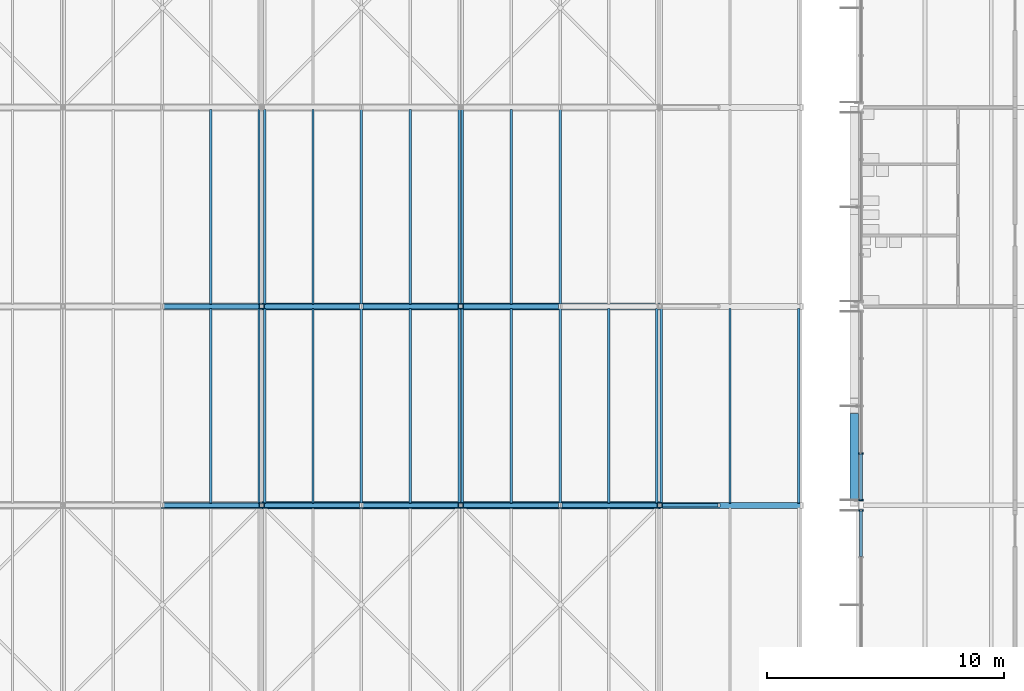
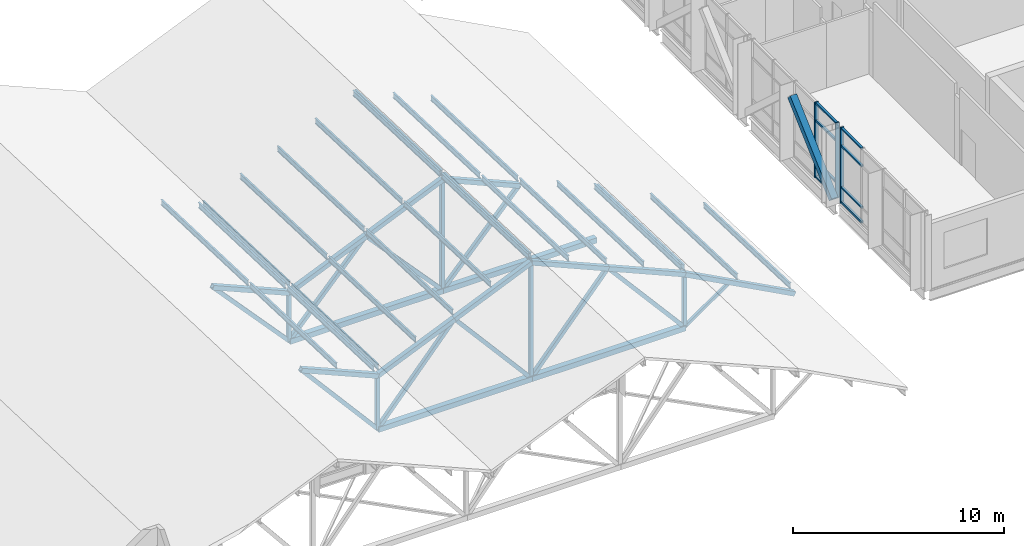
# One storey, part 15 of 76: 39 beams, 27 members, 2 elements without a shape of their own.
"""IFC4 building model written with IfcOpenShell, lengths in metres."""

from ifc_helpers import new_model, si_unit, direction, frame, origin, origin_2d, place, context, subcontext, project, spatial, rectangle, hollow_rectangle, i_section, extrude, material, material_profile, profile_set, type_object, element, aggregate, save


model = new_model("IFC4")

# Units and contexts
model_context = context("Model", 3, precision=1e-05, world=origin(), true_north=direction((0.0, 1.0)))
body_context = subcontext(model_context, "Body", "Model", "MODEL_VIEW")
ifc_project = project(units=[si_unit("LENGTHUNIT", "METRE"), si_unit("AREAUNIT", "SQUARE_METRE"), si_unit("VOLUMEUNIT", "CUBIC_METRE"), si_unit("PLANEANGLEUNIT", "RADIAN"), si_unit("MASSUNIT", "GRAM", prefix="KILO")], contexts=[model_context])

# Site, building, storey
site_placement = place(None, origin())
site = spatial("IfcSite", under=ifc_project, at=site_placement, CompositionType="ELEMENT")
building_placement = place(site_placement, origin())
building = spatial("IfcBuilding", under=site, at=building_placement, Name="Hlaing Beacon Police Headquarters", CompositionType="ELEMENT")
storey_placement = place(building_placement, frame((0.0, 0.0, 18.89990234375)))
storey = spatial("IfcBuildingStorey", under=building, at=storey_placement, Name="L04", CompositionType="ELEMENT", Elevation=18.89990234375)

# Members
ifc_material_1 = material(Name="Steel ASTM A500 Grade C", Category="steel")
ifc_material_profile_1 = material_profile(ifc_material_1, hollow_rectangle(XDim=0.355712890625, YDim=0.355712890625, WallThickness=0.015869140625, at=origin_2d()), Name="HSS14x14x5/8")
ifc_profile_set_1 = profile_set([ifc_material_profile_1], Name="Steel ASTM A500 Grade C")
member_type_1 = type_object("IfcMemberType", Name="Chevron brace HSS14x14x5/8", PredefinedType="BRACE", material=ifc_profile_set_1)
member_1_placement = place(storey_placement, frame((100.6181640625, 42.072998046875, 0.131103515625), z_axis=(0.0, 0.738446730342, 0.674311816927), x_axis=(-1.0, 0.0, 0.0)))
element("IfcMember", 1, at=member_1_placement, inside=storey, type_object=member_type_1, Name="STR-BR-L04-N6a", PredefinedType="BRACE", context=body_context, shape_type="SweptSolid", body=[
    extrude(hollow_rectangle(XDim=0.355712890625, YDim=0.355712890625, WallThickness=0.015869140625, at=origin_2d()), origin(), (0.0, 0.0, 1.0), 5.31787109375),
])
ifc_material_2 = material(Name="Steel ASTM A500 Grade C", Category="steel")
ifc_material_profile_2 = material_profile(ifc_material_2, hollow_rectangle(XDim=0.15234375, YDim=0.15234375, WallThickness=0.0126953125, at=origin_2d()), Name="HSS6x6x1/2")
ifc_profile_set_2 = profile_set([ifc_material_profile_2], Name="Steel ASTM A500 Grade C")
member_type_2 = type_object("IfcMemberType", Name="Eave strut HSS6x6x1/2", PredefinedType="BRACE", material=ifc_profile_set_2)
member_2_placement = place(storey_placement, frame((92.39990234375, 42.0, -4.347412109375), z_axis=(0.820772849728, 0.0, 0.571254697267), x_axis=(0.0, 1.0, 0.0)))
element("IfcMember", 2, at=member_2_placement, inside=storey, type_object=member_type_2, Name="STR-RT-V1-T2-ST02", PredefinedType="BRACE", context=body_context, shape_type="SweptSolid", body=[
    extrude(hollow_rectangle(XDim=0.15234375, YDim=0.15234375, WallThickness=0.0126953125, at=origin_2d()), origin(), (0.0, 0.0, 1.0), 3.0458984375),
])

# Curtain wall, members
ifc_material_3 = material(Name="Aluminium frame with solar control glazing", Category="aluminium")
curtain_wall_type_1 = type_object("IfcCurtainWallType", Name="Unitised curtain wall 8.02 x 4.37", PredefinedType="NOTDEFINED", material=ifc_material_3)
curtain_wall_1_placement = place(storey_placement, origin())
curtain_wall_1 = element("IfcCurtainWall", 3, at=curtain_wall_1_placement, inside=storey, type_object=curtain_wall_type_1, Name="ENV-CW-L04-W021", PredefinedType="NOTDEFINED")
ifc_material_4 = material(Name="Aluminium", Category="aluminium")
ifc_material_profile_3 = material_profile(ifc_material_4, rectangle(XDim=0.199951171875, YDim=0.06005859375, at=origin_2d()), Name="Mullion 60x200")
ifc_profile_set_3 = profile_set([ifc_material_profile_3], Name="Aluminium")
member_type_3 = type_object("IfcMemberType", Name="Mullion 60x200", PredefinedType="MULLION", material=ifc_profile_set_3)
member_3_placement = place(storey_placement, frame((100.89990234375, 44.194091796875, 0.0), z_axis=(0.0, 0.0, 1.0), x_axis=(1.0, 0.0, 0.0)))
member_3 = element("IfcMember", 4, at=member_3_placement, type_object=member_type_3, Name="CW-L04-W021 mullion 4", PredefinedType="MULLION", context=body_context, shape_type="SweptSolid", body=[
    extrude(rectangle(XDim=0.199951171875, YDim=0.06005859375, at=origin_2d()), origin(), (0.0, 0.0, 1.0), 4.3701171875),
])
member_4_placement = place(storey_placement, frame((100.89990234375, 42.218017578125, 0.0), z_axis=(0.0, 0.0, 1.0), x_axis=(1.0, 0.0, 0.0)))
member_4 = element("IfcMember", 5, at=member_4_placement, type_object=member_type_3, Name="CW-L04-W021 mullion 5", PredefinedType="MULLION", context=body_context, shape_type="SweptSolid", body=[
    extrude(rectangle(XDim=0.199951171875, YDim=0.06005859375, at=origin_2d()), origin(), (0.0, 0.0, 1.0), 4.3701171875),
])

# Curtain wall, member
ifc_material_5 = material(Name="Aluminium frame with solar control glazing", Category="aluminium")
curtain_wall_type_2 = type_object("IfcCurtainWallType", Name="Unitised curtain wall 8.03 x 4.37", PredefinedType="NOTDEFINED", material=ifc_material_5)
curtain_wall_2_placement = place(storey_placement, origin())
curtain_wall_2 = element("IfcCurtainWall", 6, at=curtain_wall_2_placement, inside=storey, type_object=curtain_wall_type_2, Name="ENV-CW-L04-W022", PredefinedType="NOTDEFINED")
member_5_placement = place(storey_placement, frame((100.89990234375, 41.781982421875, 0.0), z_axis=(0.0, 0.0, 1.0), x_axis=(1.0, 0.0, 0.0)))
member_5 = element("IfcMember", 7, at=member_5_placement, type_object=member_type_3, Name="CW-L04-W022 mullion 1", PredefinedType="MULLION", context=body_context, shape_type="SweptSolid", body=[
    extrude(rectangle(XDim=0.199951171875, YDim=0.06005859375, at=origin_2d()), origin(), (0.0, 0.0, 1.0), 4.3701171875),
])

# Beams
ifc_material_6 = material(Name="Steel ASTM A992 Grade 50", Category="steel")
ifc_material_profile_4 = material_profile(ifc_material_6, i_section(OverallWidth=0.102294921875, OverallDepth=0.3125, WebThickness=0.006591796875, FlangeThickness=0.0107421875, FilletRadius=0.007568359375, at=origin_2d()), Name="W12x22")
ifc_profile_set_4 = profile_set([ifc_material_profile_4], Name="Steel ASTM A992 Grade 50")
beam_type_1 = type_object("IfcBeamType", Name="Roof purlin W12x22", PredefinedType="BEAM", material=ifc_profile_set_4)
beam_1_placement = place(storey_placement, frame((73.43994140625, 42.090576171875, -0.01904296875), z_axis=(0.0, 0.999362097782, -0.035712708045), x_axis=(-1.0, 0.0, 0.0)))
element("IfcBeam", 8, at=beam_1_placement, inside=storey, type_object=beam_type_1, Name="STR-RT-V1-PR-R3-04-2", PredefinedType="BEAM", context=body_context, shape_type="SweptSolid", body=[
    extrude(i_section(OverallWidth=0.102294921875, OverallDepth=0.3125, WebThickness=0.006591796875, FlangeThickness=0.0107421875, FilletRadius=0.007568359375, at=origin_2d()), origin(), (0.0, 0.0, 1.0), 8.223876953125),
])
beam_2_placement = place(storey_placement, frame((73.43994140625, 50.490478515625, -0.319091796875), z_axis=(0.0, 0.999362135643, -0.035711648572), x_axis=(-1.0, 0.0, 0.0)))
element("IfcBeam", 9, at=beam_2_placement, inside=storey, type_object=beam_type_1, Name="STR-RT-V1-PR-R3-04-3", PredefinedType="BEAM", context=body_context, shape_type="SweptSolid", body=[
    extrude(i_section(OverallWidth=0.102294921875, OverallDepth=0.3125, WebThickness=0.006591796875, FlangeThickness=0.0107421875, FilletRadius=0.007568359375, at=origin_2d()), origin(), (0.0, 0.0, 1.0), 8.22412109375),
])
beam_3_placement = place(storey_placement, frame((75.479736328125, 42.090576171875, -0.893310546875), z_axis=(0.0, 0.999362097782, -0.035712708045), x_axis=(-1.0, 0.0, 0.0)))
element("IfcBeam", 10, at=beam_3_placement, inside=storey, type_object=beam_type_1, Name="STR-RT-V1-PR-R3-05-2", PredefinedType="BEAM", context=body_context, shape_type="SweptSolid", body=[
    extrude(i_section(OverallWidth=0.102294921875, OverallDepth=0.3125, WebThickness=0.006591796875, FlangeThickness=0.0107421875, FilletRadius=0.007568359375, at=origin_2d()), origin(), (0.0, 0.0, 1.0), 8.223876953125),
])
beam_4_placement = place(storey_placement, frame((75.479736328125, 50.490478515625, -1.193359375), z_axis=(0.0, 0.999362135643, -0.035711648572), x_axis=(-1.0, 0.0, 0.0)))
element("IfcBeam", 11, at=beam_4_placement, inside=storey, type_object=beam_type_1, Name="STR-RT-V1-PR-R3-05-3", PredefinedType="BEAM", context=body_context, shape_type="SweptSolid", body=[
    extrude(i_section(OverallWidth=0.102294921875, OverallDepth=0.3125, WebThickness=0.006591796875, FlangeThickness=0.0107421875, FilletRadius=0.007568359375, at=origin_2d()), origin(), (0.0, 0.0, 1.0), 8.22412109375),
])
beam_5_placement = place(storey_placement, frame((75.72021484375, 42.090576171875, -0.893310546875), z_axis=(0.0, 0.999362097782, -0.035712708045), x_axis=(-1.0, 0.0, 0.0)))
element("IfcBeam", 12, at=beam_5_placement, inside=storey, type_object=beam_type_1, Name="STR-RT-V1-PR-R4-01-2", PredefinedType="BEAM", context=body_context, shape_type="SweptSolid", body=[
    extrude(i_section(OverallWidth=0.102294921875, OverallDepth=0.3125, WebThickness=0.006591796875, FlangeThickness=0.0107421875, FilletRadius=0.007568359375, at=origin_2d()), origin(), (0.0, 0.0, 1.0), 8.223876953125),
])
beam_6_placement = place(storey_placement, frame((75.72021484375, 50.490478515625, -1.193359375), z_axis=(0.0, 0.999362135643, -0.035711648572), x_axis=(-1.0, 0.0, 0.0)))
element("IfcBeam", 13, at=beam_6_placement, inside=storey, type_object=beam_type_1, Name="STR-RT-V1-PR-R4-01-3", PredefinedType="BEAM", context=body_context, shape_type="SweptSolid", body=[
    extrude(i_section(OverallWidth=0.102294921875, OverallDepth=0.3125, WebThickness=0.006591796875, FlangeThickness=0.0107421875, FilletRadius=0.007568359375, at=origin_2d()), origin(), (0.0, 0.0, 1.0), 8.22412109375),
])
beam_7_placement = place(storey_placement, frame((77.760009765625, 42.090576171875, -0.01904296875), z_axis=(0.0, 0.999362097782, -0.035712708045), x_axis=(-1.0, 0.0, 0.0)))
element("IfcBeam", 14, at=beam_7_placement, inside=storey, type_object=beam_type_1, Name="STR-RT-V1-PR-R4-02-2", PredefinedType="BEAM", context=body_context, shape_type="SweptSolid", body=[
    extrude(i_section(OverallWidth=0.102294921875, OverallDepth=0.3125, WebThickness=0.006591796875, FlangeThickness=0.0107421875, FilletRadius=0.007568359375, at=origin_2d()), origin(), (0.0, 0.0, 1.0), 8.223876953125),
])
beam_8_placement = place(storey_placement, frame((77.760009765625, 50.490478515625, -0.319091796875), z_axis=(0.0, 0.999362135643, -0.035711648572), x_axis=(-1.0, 0.0, 0.0)))
element("IfcBeam", 15, at=beam_8_placement, inside=storey, type_object=beam_type_1, Name="STR-RT-V1-PR-R4-02-3", PredefinedType="BEAM", context=body_context, shape_type="SweptSolid", body=[
    extrude(i_section(OverallWidth=0.102294921875, OverallDepth=0.3125, WebThickness=0.006591796875, FlangeThickness=0.0107421875, FilletRadius=0.007568359375, at=origin_2d()), origin(), (0.0, 0.0, 1.0), 8.22412109375),
])
beam_9_placement = place(storey_placement, frame((79.800048828125, 42.090576171875, 0.855224609375), z_axis=(0.0, 0.999362097782, -0.035712708045), x_axis=(-1.0, 0.0, 0.0)))
element("IfcBeam", 16, at=beam_9_placement, inside=storey, type_object=beam_type_1, Name="STR-RT-V1-PR-R4-03-2", PredefinedType="BEAM", context=body_context, shape_type="SweptSolid", body=[
    extrude(i_section(OverallWidth=0.102294921875, OverallDepth=0.3125, WebThickness=0.006591796875, FlangeThickness=0.0107421875, FilletRadius=0.007568359375, at=origin_2d()), origin(), (0.0, 0.0, 1.0), 8.223876953125),
])
beam_10_placement = place(storey_placement, frame((79.800048828125, 50.490478515625, 0.554931640625), z_axis=(0.0, 0.999363194646, -0.03568200089), x_axis=(-1.0, 0.0, 0.0)))
element("IfcBeam", 17, at=beam_10_placement, inside=storey, type_object=beam_type_1, Name="STR-RT-V1-PR-R4-03-3", PredefinedType="BEAM", context=body_context, shape_type="SweptSolid", body=[
    extrude(i_section(OverallWidth=0.102294921875, OverallDepth=0.3125, WebThickness=0.006591796875, FlangeThickness=0.0107421875, FilletRadius=0.007568359375, at=origin_2d()), origin(), (0.0, 0.0, 1.0), 8.22412109375),
])
beam_11_placement = place(storey_placement, frame((81.869384765625, 42.090576171875, 1.7421875), z_axis=(0.0, 0.999362097782, -0.035712708045), x_axis=(-1.0, 0.0, 0.0)))
element("IfcBeam", 18, at=beam_11_placement, inside=storey, type_object=beam_type_1, Name="STR-RT-V1-PR-R4-04-2", PredefinedType="BEAM", context=body_context, shape_type="SweptSolid", body=[
    extrude(i_section(OverallWidth=0.102294921875, OverallDepth=0.3125, WebThickness=0.006591796875, FlangeThickness=0.0107421875, FilletRadius=0.007568359375, at=origin_2d()), origin(), (0.0, 0.0, 1.0), 8.223876953125),
])
beam_12_placement = place(storey_placement, frame((81.869384765625, 50.490478515625, 1.44189453125), z_axis=(0.0, 0.999362135643, -0.035711648572), x_axis=(-1.0, 0.0, 0.0)))
element("IfcBeam", 19, at=beam_12_placement, inside=storey, type_object=beam_type_1, Name="STR-RT-V1-PR-R4-04-3", PredefinedType="BEAM", context=body_context, shape_type="SweptSolid", body=[
    extrude(i_section(OverallWidth=0.102294921875, OverallDepth=0.3125, WebThickness=0.006591796875, FlangeThickness=0.0107421875, FilletRadius=0.007568359375, at=origin_2d()), origin(), (0.0, 0.0, 1.0), 8.22412109375),
])
beam_13_placement = place(storey_placement, frame((83.938720703125, 42.090576171875, 2.62890625), z_axis=(0.0, 0.999362097782, -0.035712708045), x_axis=(-1.0, 0.0, 0.0)))
element("IfcBeam", 20, at=beam_13_placement, inside=storey, type_object=beam_type_1, Name="STR-RT-V1-PR-R4-05-2", PredefinedType="BEAM", context=body_context, shape_type="SweptSolid", body=[
    extrude(i_section(OverallWidth=0.102294921875, OverallDepth=0.3125, WebThickness=0.006591796875, FlangeThickness=0.0107421875, FilletRadius=0.007568359375, at=origin_2d()), origin(), (0.0, 0.0, 1.0), 8.223876953125),
])
beam_14_placement = place(storey_placement, frame((83.938720703125, 50.490478515625, 2.328857421875), z_axis=(0.0, 0.999362135643, -0.035711648572), x_axis=(-1.0, 0.0, 0.0)))
element("IfcBeam", 21, at=beam_14_placement, inside=storey, type_object=beam_type_1, Name="STR-RT-V1-PR-R4-05-3", PredefinedType="BEAM", context=body_context, shape_type="SweptSolid", body=[
    extrude(i_section(OverallWidth=0.102294921875, OverallDepth=0.3125, WebThickness=0.006591796875, FlangeThickness=0.0107421875, FilletRadius=0.007568359375, at=origin_2d()), origin(), (0.0, 0.0, 1.0), 8.22412109375),
])
beam_15_placement = place(storey_placement, frame((84.061279296875, 42.090576171875, 2.62890625), z_axis=(0.0, 0.999362097782, -0.035712708045), x_axis=(-1.0, 0.0, 0.0)))
element("IfcBeam", 22, at=beam_15_placement, inside=storey, type_object=beam_type_1, Name="STR-RT-V1-PR-R5-01-2", PredefinedType="BEAM", context=body_context, shape_type="SweptSolid", body=[
    extrude(i_section(OverallWidth=0.102294921875, OverallDepth=0.3125, WebThickness=0.006591796875, FlangeThickness=0.0107421875, FilletRadius=0.007568359375, at=origin_2d()), origin(), (0.0, 0.0, 1.0), 8.223876953125),
])
beam_16_placement = place(storey_placement, frame((84.061279296875, 50.490478515625, 2.328857421875), z_axis=(0.0, 0.999362135643, -0.035711648572), x_axis=(-1.0, 0.0, 0.0)))
element("IfcBeam", 23, at=beam_16_placement, inside=storey, type_object=beam_type_1, Name="STR-RT-V1-PR-R5-01-3", PredefinedType="BEAM", context=body_context, shape_type="SweptSolid", body=[
    extrude(i_section(OverallWidth=0.102294921875, OverallDepth=0.3125, WebThickness=0.006591796875, FlangeThickness=0.0107421875, FilletRadius=0.007568359375, at=origin_2d()), origin(), (0.0, 0.0, 1.0), 8.22412109375),
])
beam_17_placement = place(storey_placement, frame((86.130615234375, 42.090576171875, 1.7421875), z_axis=(0.0, 0.999362097782, -0.035712708045), x_axis=(-1.0, 0.0, 0.0)))
element("IfcBeam", 24, at=beam_17_placement, inside=storey, type_object=beam_type_1, Name="STR-RT-V1-PR-R5-02-2", PredefinedType="BEAM", context=body_context, shape_type="SweptSolid", body=[
    extrude(i_section(OverallWidth=0.102294921875, OverallDepth=0.3125, WebThickness=0.006591796875, FlangeThickness=0.0107421875, FilletRadius=0.007568359375, at=origin_2d()), origin(), (0.0, 0.0, 1.0), 8.223876953125),
])
beam_18_placement = place(storey_placement, frame((86.130615234375, 50.490478515625, 1.44189453125), z_axis=(0.0, 0.999362135643, -0.035711648572), x_axis=(-1.0, 0.0, 0.0)))
element("IfcBeam", 25, at=beam_18_placement, inside=storey, type_object=beam_type_1, Name="STR-RT-V1-PR-R5-02-3", PredefinedType="BEAM", context=body_context, shape_type="SweptSolid", body=[
    extrude(i_section(OverallWidth=0.102294921875, OverallDepth=0.3125, WebThickness=0.006591796875, FlangeThickness=0.0107421875, FilletRadius=0.007568359375, at=origin_2d()), origin(), (0.0, 0.0, 1.0), 8.22412109375),
])
beam_19_placement = place(storey_placement, frame((88.199951171875, 42.090576171875, 0.855224609375), z_axis=(0.0, 0.999362097782, -0.035712708045), x_axis=(-1.0, 0.0, 0.0)))
element("IfcBeam", 26, at=beam_19_placement, inside=storey, type_object=beam_type_1, Name="STR-RT-V1-PR-R5-03-2", PredefinedType="BEAM", context=body_context, shape_type="SweptSolid", body=[
    extrude(i_section(OverallWidth=0.102294921875, OverallDepth=0.3125, WebThickness=0.006591796875, FlangeThickness=0.0107421875, FilletRadius=0.007568359375, at=origin_2d()), origin(), (0.0, 0.0, 1.0), 8.223876953125),
])
beam_20_placement = place(storey_placement, frame((88.199951171875, 50.490478515625, 0.554931640625), z_axis=(0.0, 0.999363194646, -0.03568200089), x_axis=(-1.0, 0.0, 0.0)))
element("IfcBeam", 27, at=beam_20_placement, inside=storey, type_object=beam_type_1, Name="STR-RT-V1-PR-R5-03-3", PredefinedType="BEAM", context=body_context, shape_type="SweptSolid", body=[
    extrude(i_section(OverallWidth=0.102294921875, OverallDepth=0.3125, WebThickness=0.006591796875, FlangeThickness=0.0107421875, FilletRadius=0.007568359375, at=origin_2d()), origin(), (0.0, 0.0, 1.0), 8.22412109375),
])
for number, where, z_axis, x_axis, name in (
    (28, (90.239990234375, 42.090576171875, -0.01904296875), (0.0, 0.999362097782, -0.035712708045), (-1.0, 0.0, 0.0), "STR-RT-V1-PR-R5-04-2"),
    (29, (92.27978515625, 42.090576171875, -0.893310546875), (0.0, 0.999362097782, -0.035712708045), (-1.0, 0.0, 0.0), "STR-RT-V1-PR-R5-05-2"),
    (30, (92.461181640625, 42.090576171875, -0.989501953125), (0.0, 0.999362097782, -0.035712708045), (-1.0, 0.0, 0.0), "STR-RT-V1-PR-R6-01-2"),
    (31, (95.36474609375, 42.090576171875, -2.5380859375), (0.0, 0.999362097782, -0.035712708045), (-1.0, 0.0, 0.0), "STR-RT-V1-PR-R6-02-2"),
    (32, (98.268310546875, 42.090576171875, -4.086669921875), (0.0, 0.999362097782, -0.035712708045), (-1.0, 0.0, 0.0), "STR-RT-V1-PR-R6-03-2"),
):
    element("IfcBeam", number, at=place(storey_placement, frame(where, z_axis=z_axis, x_axis=x_axis)), inside=storey, type_object=beam_type_1, Name=name, PredefinedType="BEAM", context=body_context, shape_type="SweptSolid", body=[
        extrude(i_section(OverallWidth=0.102294921875, OverallDepth=0.3125, WebThickness=0.006591796875, FlangeThickness=0.0107421875, FilletRadius=0.007568359375, at=origin_2d()), origin(), (0.0, 0.0, 1.0), 8.223876953125),
    ])

# Member
ifc_material_7 = material(Name="Aluminium", Category="aluminium")
ifc_material_profile_5 = material_profile(ifc_material_7, rectangle(XDim=0.1201171875, YDim=0.10009765625, at=origin_2d()), Name="Transom 120x100")
ifc_profile_set_5 = profile_set([ifc_material_profile_5], Name="Aluminium")
member_type_4 = type_object("IfcMemberType", Name="Transom 120x100", PredefinedType="USERDEFINED", material=ifc_profile_set_5)
member_6_placement = place(storey_placement, frame((100.89990234375, 44.1640625, 0.050048828125), z_axis=(0.0, -1.0, 0.0), x_axis=(1.0, 0.0, 0.0)))
member_6 = element("IfcMember", 33, at=member_6_placement, type_object=member_type_4, Name="CW-L04-W021 transom 4.1", ObjectType="TRANSOM", PredefinedType="USERDEFINED", context=body_context, shape_type="SweptSolid", body=[
    extrude(rectangle(XDim=0.1201171875, YDim=0.10009765625, at=origin_2d()), origin(), (0.0, 0.0, 1.0), 1.916015625),
])

member_7_placement = place(storey_placement, frame((100.89990234375, 44.1640625, 0.900146484375), z_axis=(0.0, -1.0, 0.0), x_axis=(1.0, 0.0, 0.0)))
member_7 = element("IfcMember", 34, at=member_7_placement, type_object=member_type_4, Name="CW-L04-W021 transom 4.2", ObjectType="TRANSOM", PredefinedType="USERDEFINED", context=body_context, shape_type="SweptSolid", body=[
    extrude(rectangle(XDim=0.1201171875, YDim=0.10009765625, at=origin_2d()), origin(), (0.0, 0.0, 1.0), 1.916015625),
])

member_8_placement = place(storey_placement, frame((100.89990234375, 44.1640625, 3.300048828125), z_axis=(0.0, -1.0, 0.0), x_axis=(1.0, 0.0, 0.0)))
member_8 = element("IfcMember", 35, at=member_8_placement, type_object=member_type_4, Name="CW-L04-W021 transom 4.3", ObjectType="TRANSOM", PredefinedType="USERDEFINED", context=body_context, shape_type="SweptSolid", body=[
    extrude(rectangle(XDim=0.1201171875, YDim=0.10009765625, at=origin_2d()), origin(), (0.0, 0.0, 1.0), 1.916015625),
])

member_9_placement = place(storey_placement, frame((100.89990234375, 44.1640625, 4.320068359375), z_axis=(0.0, -1.0, 0.0), x_axis=(1.0, 0.0, 0.0)))
member_9 = element("IfcMember", 36, at=member_9_placement, type_object=member_type_4, Name="CW-L04-W021 transom 4.4", ObjectType="TRANSOM", PredefinedType="USERDEFINED", context=body_context, shape_type="SweptSolid", body=[
    extrude(rectangle(XDim=0.1201171875, YDim=0.10009765625, at=origin_2d()), origin(), (0.0, 0.0, 1.0), 1.916015625),
])

aggregate(curtain_wall_1, [member_3, member_4, member_6, member_7, member_8, member_9])

member_10_placement = place(storey_placement, frame((100.89990234375, 41.751953125, 0.050048828125), z_axis=(0.0, -1.0, 0.0), x_axis=(1.0, 0.0, 0.0)))
member_10 = element("IfcMember", 37, at=member_10_placement, type_object=member_type_4, Name="CW-L04-W022 transom 1.1", ObjectType="TRANSOM", PredefinedType="USERDEFINED", context=body_context, shape_type="SweptSolid", body=[
    extrude(rectangle(XDim=0.1201171875, YDim=0.10009765625, at=origin_2d()), origin(), (0.0, 0.0, 1.0), 1.9169921875),
])

member_11_placement = place(storey_placement, frame((100.89990234375, 41.751953125, 0.900146484375), z_axis=(0.0, -1.0, 0.0), x_axis=(1.0, 0.0, 0.0)))
member_11 = element("IfcMember", 38, at=member_11_placement, type_object=member_type_4, Name="CW-L04-W022 transom 1.2", ObjectType="TRANSOM", PredefinedType="USERDEFINED", context=body_context, shape_type="SweptSolid", body=[
    extrude(rectangle(XDim=0.1201171875, YDim=0.10009765625, at=origin_2d()), origin(), (0.0, 0.0, 1.0), 1.9169921875),
])

member_12_placement = place(storey_placement, frame((100.89990234375, 41.751953125, 3.300048828125), z_axis=(0.0, -1.0, 0.0), x_axis=(1.0, 0.0, 0.0)))
member_12 = element("IfcMember", 39, at=member_12_placement, type_object=member_type_4, Name="CW-L04-W022 transom 1.3", ObjectType="TRANSOM", PredefinedType="USERDEFINED", context=body_context, shape_type="SweptSolid", body=[
    extrude(rectangle(XDim=0.1201171875, YDim=0.10009765625, at=origin_2d()), origin(), (0.0, 0.0, 1.0), 1.9169921875),
])

member_13_placement = place(storey_placement, frame((100.89990234375, 41.751953125, 4.320068359375), z_axis=(0.0, -1.0, 0.0), x_axis=(1.0, 0.0, 0.0)))
member_13 = element("IfcMember", 40, at=member_13_placement, type_object=member_type_4, Name="CW-L04-W022 transom 1.4", ObjectType="TRANSOM", PredefinedType="USERDEFINED", context=body_context, shape_type="SweptSolid", body=[
    extrude(rectangle(XDim=0.1201171875, YDim=0.10009765625, at=origin_2d()), origin(), (0.0, 0.0, 1.0), 1.9169921875),
])

aggregate(curtain_wall_2, [member_5, member_10, member_11, member_12, member_13])

# Beams
ifc_material_8 = material(Name="Steel ASTM A500 Grade C", Category="steel")
ifc_material_profile_6 = material_profile(ifc_material_8, hollow_rectangle(XDim=0.3046875, YDim=0.3046875, WallThickness=0.015869140625, at=origin_2d()), Name="HSS12x12x5/8")
ifc_profile_set_6 = profile_set([ifc_material_profile_6], Name="Steel ASTM A500 Grade C")
beam_type_2 = type_object("IfcBeamType", Name="Truss bottom chord HSS12x12x5/8", PredefinedType="BEAM", material=ifc_profile_set_6)
for number, where, z_axis, x_axis, name in (
    (41, (75.60009765625, 42.0, -4.347412109375), (1.0, 0.0, 0.0), (0.0, 1.0, 0.0), "STR-RT-V1-T2-BC03"),
    (42, (84.0, 42.0, -4.347412109375), (1.0, 0.0, 0.0), (0.0, 1.0, 0.0), "STR-RT-V1-T2-BC04"),
    (43, (75.60009765625, 50.39990234375, -4.347412109375), (1.0, 0.0, 0.0), (0.0, 1.0, 0.0), "STR-RT-V1-T3-BC03"),
    (44, (84.0, 50.39990234375, -4.347412109375), (1.0, 0.0, 0.0), (0.0, 1.0, 0.0), "STR-RT-V1-T3-BC04"),
):
    element("IfcBeam", number, at=place(storey_placement, frame(where, z_axis=z_axis, x_axis=x_axis)), inside=storey, type_object=beam_type_2, Name=name, PredefinedType="BEAM", context=body_context, shape_type="SweptSolid", body=[
        extrude(hollow_rectangle(XDim=0.3046875, YDim=0.3046875, WallThickness=0.015869140625, at=origin_2d()), origin(), (0.0, 0.0, 1.0), 8.39990234375),
    ])

# Members
ifc_material_9 = material(Name="Steel ASTM A500 Grade C", Category="steel")
ifc_material_profile_7 = material_profile(ifc_material_9, hollow_rectangle(XDim=0.203125, YDim=0.203125, WallThickness=0.015869140625, at=origin_2d()), Name="HSS8x8x5/8")
ifc_profile_set_7 = profile_set([ifc_material_profile_7], Name="Steel ASTM A500 Grade C")
member_type_5 = type_object("IfcMemberType", Name="Truss post HSS8x8x5/8", PredefinedType="POST", material=ifc_profile_set_7)
member_14_placement = place(storey_placement, frame((75.60009765625, 42.0, -4.347412109375), z_axis=(0.0, 0.0, 1.0), x_axis=(1.0, 0.0, 0.0)))
element("IfcMember", 45, at=member_14_placement, inside=storey, type_object=member_type_5, Name="STR-RT-V1-T2-PS03", PredefinedType="POST", context=body_context, shape_type="SweptSolid", body=[
    extrude(hollow_rectangle(XDim=0.203125, YDim=0.203125, WallThickness=0.015869140625, at=origin_2d()), origin(), (0.0, 0.0, 1.0), 3.08984375),
])
member_15_placement = place(storey_placement, frame((84.0, 42.0, -4.347412109375), z_axis=(0.0, 0.0, 1.0), x_axis=(1.0, 0.0, 0.0)))
element("IfcMember", 46, at=member_15_placement, inside=storey, type_object=member_type_5, Name="STR-RT-V1-T2-PS04", PredefinedType="POST", context=body_context, shape_type="SweptSolid", body=[
    extrude(hollow_rectangle(XDim=0.203125, YDim=0.203125, WallThickness=0.015869140625, at=origin_2d()), origin(), (0.0, 0.0, 1.0), 6.701904296875),
])
member_16_placement = place(storey_placement, frame((92.39990234375, 42.0, -4.347412109375), z_axis=(0.0, 0.0, 1.0), x_axis=(1.0, 0.0, 0.0)))
element("IfcMember", 47, at=member_16_placement, inside=storey, type_object=member_type_5, Name="STR-RT-V1-T2-PS05", PredefinedType="POST", context=body_context, shape_type="SweptSolid", body=[
    extrude(hollow_rectangle(XDim=0.203125, YDim=0.203125, WallThickness=0.015869140625, at=origin_2d()), origin(), (0.0, 0.0, 1.0), 3.078125),
])
member_17_placement = place(storey_placement, frame((75.60009765625, 50.39990234375, -4.347412109375), z_axis=(0.0, 0.0, 1.0), x_axis=(1.0, 0.0, 0.0)))
element("IfcMember", 48, at=member_17_placement, inside=storey, type_object=member_type_5, Name="STR-RT-V1-T3-PS03", PredefinedType="POST", context=body_context, shape_type="SweptSolid", body=[
    extrude(hollow_rectangle(XDim=0.203125, YDim=0.203125, WallThickness=0.015869140625, at=origin_2d()), origin(), (0.0, 0.0, 1.0), 2.789794921875),
])
member_18_placement = place(storey_placement, frame((84.0, 50.39990234375, -4.347412109375), z_axis=(0.0, 0.0, 1.0), x_axis=(1.0, 0.0, 0.0)))
element("IfcMember", 49, at=member_18_placement, inside=storey, type_object=member_type_5, Name="STR-RT-V1-T3-PS04", PredefinedType="POST", context=body_context, shape_type="SweptSolid", body=[
    extrude(hollow_rectangle(XDim=0.203125, YDim=0.203125, WallThickness=0.015869140625, at=origin_2d()), origin(), (0.0, 0.0, 1.0), 6.40185546875),
])

# Beams
ifc_material_10 = material(Name="Steel ASTM A500 Grade C", Category="steel")
ifc_material_profile_8 = material_profile(ifc_material_10, hollow_rectangle(XDim=0.25390625, YDim=0.25390625, WallThickness=0.015869140625, at=origin_2d()), Name="HSS10x10x5/8")
ifc_profile_set_8 = profile_set([ifc_material_profile_8], Name="Steel ASTM A500 Grade C")
beam_type_3 = type_object("IfcBeamType", Name="Truss top chord HSS10x10x5/8", PredefinedType="BEAM", material=ifc_profile_set_8)
beam_21_placement = place(storey_placement, frame((71.39990234375, 42.0, 0.54248046875), z_axis=(0.91914779343, 0.0, -0.393912850556), x_axis=(0.0, 1.0, 0.0)))
element("IfcBeam", 50, at=beam_21_placement, inside=storey, type_object=beam_type_3, Name="STR-RT-V1-T2-TC05", PredefinedType="BEAM", context=body_context, shape_type="SweptSolid", body=[
    extrude(hollow_rectangle(XDim=0.25390625, YDim=0.25390625, WallThickness=0.015869140625, at=origin_2d()), origin(), (0.0, 0.0, 1.0), 4.569580078125),
])
beam_22_placement = place(storey_placement, frame((75.60009765625, 42.0, -1.257568359375), z_axis=(0.919139502787, 0.0, 0.393932195201), x_axis=(0.0, 1.0, 0.0)))
element("IfcBeam", 51, at=beam_22_placement, inside=storey, type_object=beam_type_3, Name="STR-RT-V1-T2-TC06", PredefinedType="BEAM", context=body_context, shape_type="SweptSolid", body=[
    extrude(hollow_rectangle(XDim=0.25390625, YDim=0.25390625, WallThickness=0.015869140625, at=origin_2d()), origin(), (0.0, 0.0, 1.0), 4.5693359375),
])
for number, where, z_axis, x_axis, name in (
    (52, (79.800048828125, 42.0, 0.54248046875), (0.918189896614, 0.0, 0.396140522739), (0.0, 1.0, 0.0), "STR-RT-V1-T2-TC07"),
    (53, (84.0, 42.0, 2.3544921875), (0.918189896614, 0.0, -0.396140522739), (0.0, 1.0, 0.0), "STR-RT-V1-T2-TC08"),
):
    element("IfcBeam", number, at=place(storey_placement, frame(where, z_axis=z_axis, x_axis=x_axis)), inside=storey, type_object=beam_type_3, Name=name, PredefinedType="BEAM", context=body_context, shape_type="SweptSolid", body=[
        extrude(hollow_rectangle(XDim=0.25390625, YDim=0.25390625, WallThickness=0.015869140625, at=origin_2d()), origin(), (0.0, 0.0, 1.0), 4.57421875),
    ])
beam_23_placement = place(storey_placement, frame((88.199951171875, 42.0, 0.54248046875), z_axis=(0.918209309702, 0.0, -0.396095523298), x_axis=(0.0, 1.0, 0.0)))
element("IfcBeam", 54, at=beam_23_placement, inside=storey, type_object=beam_type_3, Name="STR-RT-V1-T2-TC09", PredefinedType="BEAM", context=body_context, shape_type="SweptSolid", body=[
    extrude(hollow_rectangle(XDim=0.25390625, YDim=0.25390625, WallThickness=0.015869140625, at=origin_2d()), origin(), (0.0, 0.0, 1.0), 4.573974609375),
])
beam_24_placement = place(storey_placement, frame((92.39990234375, 42.0, -1.269287109375), z_axis=(0.881639912586, 0.0, -0.47192273153), x_axis=(0.0, 1.0, 0.0)))
element("IfcBeam", 55, at=beam_24_placement, inside=storey, type_object=beam_type_3, Name="STR-RT-V1-T2-TC10", PredefinedType="BEAM", context=body_context, shape_type="SweptSolid", body=[
    extrude(hollow_rectangle(XDim=0.25390625, YDim=0.25390625, WallThickness=0.015869140625, at=origin_2d()), origin(), (0.0, 0.0, 1.0), 6.805419921875),
])
beam_25_placement = place(storey_placement, frame((71.39990234375, 50.39990234375, 0.242431640625), z_axis=(0.91914779343, 0.0, -0.393912850556), x_axis=(0.0, 1.0, 0.0)))
element("IfcBeam", 56, at=beam_25_placement, inside=storey, type_object=beam_type_3, Name="STR-RT-V1-T3-TC05", PredefinedType="BEAM", context=body_context, shape_type="SweptSolid", body=[
    extrude(hollow_rectangle(XDim=0.25390625, YDim=0.25390625, WallThickness=0.015869140625, at=origin_2d()), origin(), (0.0, 0.0, 1.0), 4.569580078125),
])
beam_26_placement = place(storey_placement, frame((75.60009765625, 50.39990234375, -1.5576171875), z_axis=(0.919139502787, 0.0, 0.393932195201), x_axis=(0.0, 1.0, 0.0)))
element("IfcBeam", 57, at=beam_26_placement, inside=storey, type_object=beam_type_3, Name="STR-RT-V1-T3-TC06", PredefinedType="BEAM", context=body_context, shape_type="SweptSolid", body=[
    extrude(hollow_rectangle(XDim=0.25390625, YDim=0.25390625, WallThickness=0.015869140625, at=origin_2d()), origin(), (0.0, 0.0, 1.0), 4.5693359375),
])
for number, where, z_axis, x_axis, name in (
    (58, (79.800048828125, 50.39990234375, 0.242431640625), (0.918189896614, 0.0, 0.396140522739), (0.0, 1.0, 0.0), "STR-RT-V1-T3-TC07"),
    (59, (84.0, 50.39990234375, 2.054443359375), (0.918189896614, 0.0, -0.396140522739), (0.0, 1.0, 0.0), "STR-RT-V1-T3-TC08"),
):
    element("IfcBeam", number, at=place(storey_placement, frame(where, z_axis=z_axis, x_axis=x_axis)), inside=storey, type_object=beam_type_3, Name=name, PredefinedType="BEAM", context=body_context, shape_type="SweptSolid", body=[
        extrude(hollow_rectangle(XDim=0.25390625, YDim=0.25390625, WallThickness=0.015869140625, at=origin_2d()), origin(), (0.0, 0.0, 1.0), 4.57421875),
    ])

# Members
ifc_material_11 = material(Name="Steel ASTM A500 Grade C", Category="steel")
ifc_material_profile_9 = material_profile(ifc_material_11, hollow_rectangle(XDim=0.203125, YDim=0.203125, WallThickness=0.0126953125, at=origin_2d()), Name="HSS8x8x1/2")
ifc_profile_set_9 = profile_set([ifc_material_profile_9], Name="Steel ASTM A500 Grade C")
member_type_6 = type_object("IfcMemberType", Name="Truss web HSS8x8x1/2", PredefinedType="BRACE", material=ifc_profile_set_9)
for number, where, z_axis, x_axis, name in (
    (60, (71.39990234375, 42.0, 0.54248046875), (0.651583252877, 0.0, -0.75857713159), (0.0, 1.0, 0.0), "STR-RT-V1-T2-DG04"),
    (61, (75.60009765625, 42.0, -4.347412109375), (0.651561457918, 0.0, 0.758595851924), (0.0, 1.0, 0.0), "STR-RT-V1-T2-DG05"),
    (62, (79.800048828125, 42.0, 0.54248046875), (0.651561457918, 0.0, -0.758595851924), (0.0, 1.0, 0.0), "STR-RT-V1-T2-DG06"),
    (63, (84.0, 42.0, -4.347412109375), (0.651561457918, 0.0, 0.758595851924), (0.0, 1.0, 0.0), "STR-RT-V1-T2-DG07"),
    (64, (88.199951171875, 42.0, 0.54248046875), (0.651561457918, 0.0, -0.758595851924), (0.0, 1.0, 0.0), "STR-RT-V1-T2-DG08"),
):
    element("IfcMember", number, at=place(storey_placement, frame(where, z_axis=z_axis, x_axis=x_axis)), inside=storey, type_object=member_type_6, Name=name, PredefinedType="BRACE", context=body_context, shape_type="SweptSolid", body=[
        extrude(hollow_rectangle(XDim=0.203125, YDim=0.203125, WallThickness=0.0126953125, at=origin_2d()), origin(), (0.0, 0.0, 1.0), 6.446044921875),
    ])
member_19_placement = place(storey_placement, frame((71.39990234375, 50.39990234375, 0.242431640625), z_axis=(0.675098901557, 0.0, -0.737727234903), x_axis=(0.0, 1.0, 0.0)))
element("IfcMember", 65, at=member_19_placement, inside=storey, type_object=member_type_6, Name="STR-RT-V1-T3-DG04", PredefinedType="BRACE", context=body_context, shape_type="SweptSolid", body=[
    extrude(hollow_rectangle(XDim=0.203125, YDim=0.203125, WallThickness=0.0126953125, at=origin_2d()), origin(), (0.0, 0.0, 1.0), 6.2216796875),
])
for number, where, z_axis, x_axis, name in (
    (66, (75.60009765625, 50.39990234375, -4.347412109375), (0.675077544232, 0.0, 0.737746778559), (0.0, 1.0, 0.0), "STR-RT-V1-T3-DG05"),
    (67, (79.800048828125, 50.39990234375, 0.242431640625), (0.675077544232, 0.0, -0.737746778559), (0.0, 1.0, 0.0), "STR-RT-V1-T3-DG06"),
    (68, (84.0, 50.39990234375, -4.347412109375), (0.675077544232, 0.0, 0.737746778559), (0.0, 1.0, 0.0), "STR-RT-V1-T3-DG07"),
):
    element("IfcMember", number, at=place(storey_placement, frame(where, z_axis=z_axis, x_axis=x_axis)), inside=storey, type_object=member_type_6, Name=name, PredefinedType="BRACE", context=body_context, shape_type="SweptSolid", body=[
        extrude(hollow_rectangle(XDim=0.203125, YDim=0.203125, WallThickness=0.0126953125, at=origin_2d()), origin(), (0.0, 0.0, 1.0), 6.221435546875),
    ])

save(model, "model.ifc")
